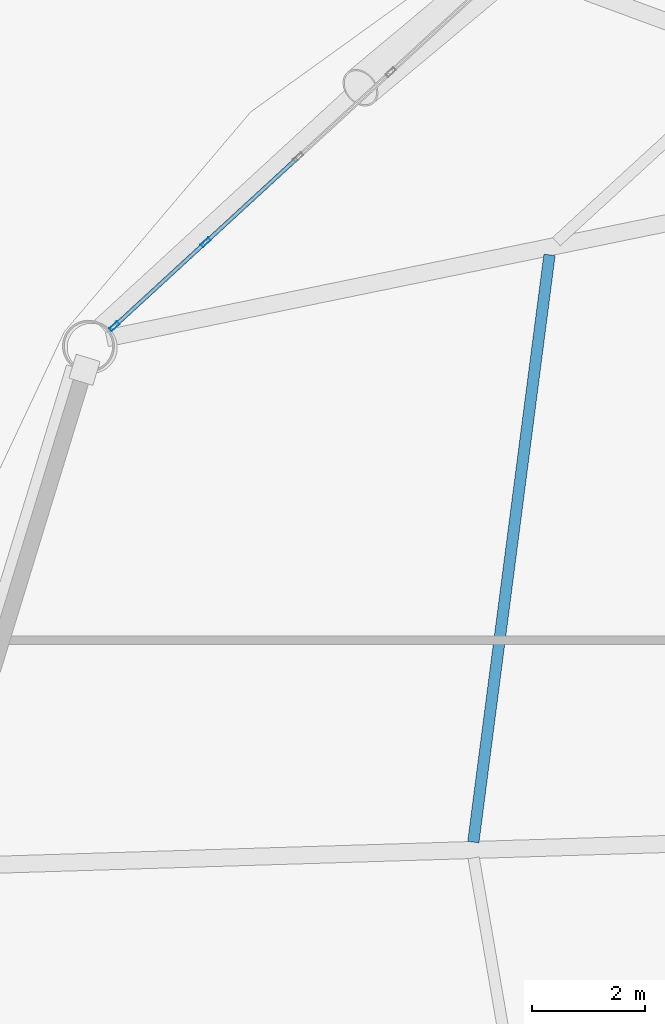
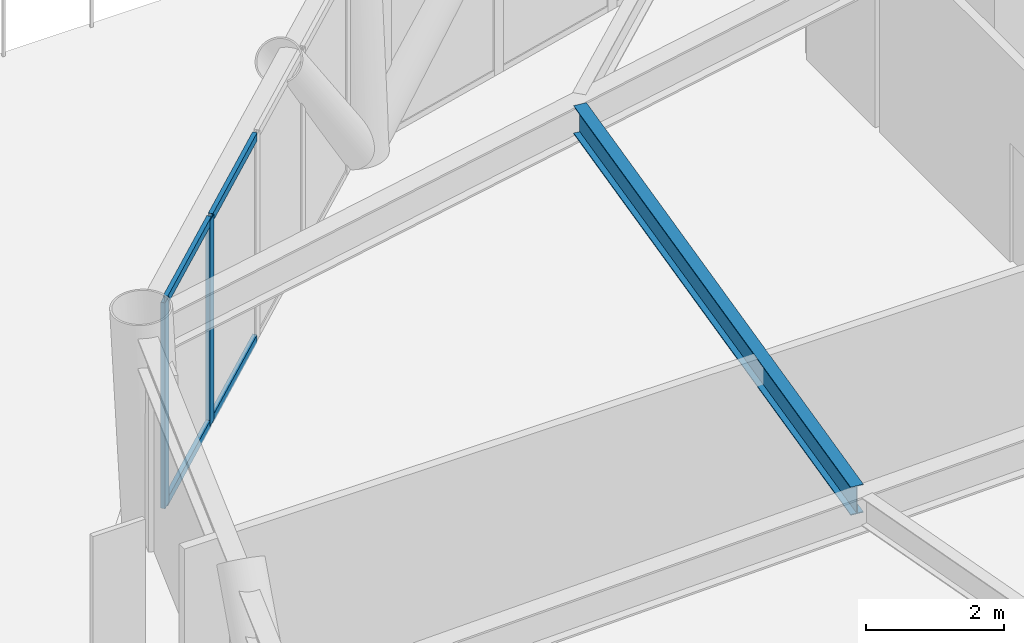
# One storey, part 9 of 24: 6 members, 1 beam, 1 element without a shape of its own.
"""IFC4 building model written with IfcOpenShell, lengths in metres."""

from ifc_helpers import new_model, si_unit, direction, frame, origin, origin_2d, place, context, subcontext, project, spatial, hollow_rectangle, i_section, extrude, material, layer, layer_set, material_profile, profile_set, type_object, element, aggregate, save


model = new_model("IFC4")

# Units and contexts
model_context = context("Model", 3, precision=1e-05, world=origin(), true_north=direction((0.0, 1.0)))
body_context = subcontext(model_context, "Body", "Model", "MODEL_VIEW")
ifc_project = project(units=[si_unit("LENGTHUNIT", "METRE"), si_unit("AREAUNIT", "SQUARE_METRE"), si_unit("VOLUMEUNIT", "CUBIC_METRE"), si_unit("PLANEANGLEUNIT", "RADIAN"), si_unit("MASSUNIT", "GRAM", prefix="KILO")], contexts=[model_context])

# Site, building, storey
site_placement = place(None, origin())
site = spatial("IfcSite", under=ifc_project, at=site_placement, CompositionType="ELEMENT")
building_placement = place(site_placement, origin())
building = spatial("IfcBuilding", under=site, at=building_placement, Name="Varnakorn Sky Granary", CompositionType="ELEMENT")
storey_placement = place(building_placement, frame((0.0, 0.0, 27.60009765625)))
storey = spatial("IfcBuildingStorey", under=building, at=storey_placement, Name="L06", CompositionType="ELEMENT", Elevation=27.60009765625)

# Beam
ifc_material_1 = material(Name="Steel S355JR", Category="steel")
ifc_material_profile_1 = material_profile(ifc_material_1, i_section(OverallWidth=0.199951171875, OverallDepth=0.5, WebThickness=0.01025390625, FlangeThickness=0.01611328125, at=origin_2d()), Name="IPE 500")
ifc_profile_set_1 = profile_set([ifc_material_profile_1], Name="Steel S355JR")
beam_type = type_object("IfcBeamType", Name="BM-SEC-Z1", PredefinedType="BEAM", material=ifc_profile_set_1)
beam_placement = place(storey_placement, frame((-10.672119140625, 10.78857421875, 3.389892578125), z_axis=(-0.128666081519, -0.991687974852, 0.0), x_axis=(0.991687974852, -0.128666081519, 0.0)))
element("IfcBeam", 1, at=beam_placement, inside=storey, type_object=beam_type, Name="Secondary Floor Chord Beam MSB06 L06", PredefinedType="BEAM", context=body_context, shape_type="SweptSolid", body=[
    extrude(i_section(OverallWidth=0.199951171875, OverallDepth=0.5, WebThickness=0.01025390625, FlangeThickness=0.01611328125, at=origin_2d()), origin(), (0.0, 0.0, 1.0), 10.43603515625),
])

# Curtain wall, members
ifc_material_2 = material(Name="Anodised Bronze Aluminium Alloy 6063-T6", Category="aluminium")
ifc_layer = layer(ifc_material_2, 0.18994140625, Name="Anodised Bronze Aluminium Alloy 6063-T6")
ifc_layer_set = layer_set([ifc_layer], Name="Anodised Bronze Aluminium Alloy 6063-T6")
curtain_wall_type = type_object("IfcCurtainWallType", Name="CW-FRM-1", PredefinedType="USERDEFINED", material=ifc_layer_set)
curtain_wall_placement = place(storey_placement, origin())
curtain_wall = element("IfcCurtainWall", 2, at=curtain_wall_placement, inside=storey, type_object=curtain_wall_type, Name="Unitised Curtain Wall CW3 CW-L06-B05", ObjectType="CURTAIN WALL", PredefinedType="USERDEFINED")
ifc_material_profile_2 = material_profile(ifc_material_2, hollow_rectangle(XDim=0.070068359375, YDim=0.18505859375, WallThickness=0.00390625, at=origin_2d()), Name="ALU MULL 70x185")
ifc_profile_set_2 = profile_set([ifc_material_profile_2], Name="Anodised Bronze Aluminium Alloy 6063-T6")
member_type_1 = type_object("IfcMemberType", Name="CW-FRM-1-MULL", PredefinedType="MULLION", material=ifc_profile_set_2)
member_1_placement = place(storey_placement, frame((-18.340576171875, 9.53125, 0.0), z_axis=(0.0, 0.0, 1.0), x_axis=(-0.676914362354, 0.7360617814, 0.0)))
member_1 = element("IfcMember", 3, at=member_1_placement, type_object=member_type_1, Name="CW3 mullion 1", PredefinedType="MULLION", context=body_context, shape_type="SweptSolid", body=[
    extrude(hollow_rectangle(XDim=0.070068359375, YDim=0.18505859375, WallThickness=0.00390625, at=origin_2d()), origin(), (0.0, 0.0, 1.0), 3.639892578125),
])
member_2_placement = place(storey_placement, frame((-16.734375, 11.008544921875, 0.0), z_axis=(0.0, 0.0, 1.0), x_axis=(-0.676914362354, 0.7360617814, 0.0)))
member_2 = element("IfcMember", 4, at=member_2_placement, type_object=member_type_1, Name="CW3 mullion 2", PredefinedType="MULLION", context=body_context, shape_type="SweptSolid", body=[
    extrude(hollow_rectangle(XDim=0.070068359375, YDim=0.18505859375, WallThickness=0.00390625, at=origin_2d()), origin(), (0.0, 0.0, 1.0), 3.639892578125),
])
ifc_material_profile_3 = material_profile(ifc_material_2, hollow_rectangle(XDim=0.070068359375, YDim=0.139892578125, WallThickness=0.00341796875, at=origin_2d()), Name="ALU TRAN 70x140")
ifc_profile_set_3 = profile_set([ifc_material_profile_3], Name="Anodised Bronze Aluminium Alloy 6063-T6")
member_type_2 = type_object("IfcMemberType", Name="CW-FRM-1-TRAN", PredefinedType="USERDEFINED", material=ifc_profile_set_3)
member_3_placement = place(storey_placement, frame((-18.31494140625, 9.554931640625, 0.034912109375), z_axis=(0.736073807105, 0.676901285635, 0.0), x_axis=(-0.676901285635, 0.736073807105, 0.0)))
member_3 = element("IfcMember", 5, at=member_3_placement, type_object=member_type_2, Name="CW3 transom 1.1", ObjectType="TRANSOM", PredefinedType="USERDEFINED", context=body_context, shape_type="SweptSolid", body=[
    extrude(hollow_rectangle(XDim=0.070068359375, YDim=0.139892578125, WallThickness=0.00341796875, at=origin_2d()), origin(), (0.0, 0.0, 1.0), 2.112548828125),
])
member_4_placement = place(storey_placement, frame((-18.31494140625, 9.554931640625, 3.60498046875), z_axis=(0.736073807105, 0.676901285635, 0.0), x_axis=(-0.676901285635, 0.736073807105, 0.0)))
member_4 = element("IfcMember", 6, at=member_4_placement, type_object=member_type_2, Name="CW3 transom 1.2", ObjectType="TRANSOM", PredefinedType="USERDEFINED", context=body_context, shape_type="SweptSolid", body=[
    extrude(hollow_rectangle(XDim=0.070068359375, YDim=0.139892578125, WallThickness=0.00341796875, at=origin_2d()), origin(), (0.0, 0.0, 1.0), 2.112548828125),
])
member_5_placement = place(storey_placement, frame((-16.70849609375, 11.0322265625, 0.034912109375), z_axis=(0.736105481164, 0.676866841114, 0.0), x_axis=(-0.676866841114, 0.736105481164, 0.0)))
member_5 = element("IfcMember", 7, at=member_5_placement, type_object=member_type_2, Name="CW3 transom 2.1", ObjectType="TRANSOM", PredefinedType="USERDEFINED", context=body_context, shape_type="SweptSolid", body=[
    extrude(hollow_rectangle(XDim=0.070068359375, YDim=0.139892578125, WallThickness=0.00341796875, at=origin_2d()), origin(), (0.0, 0.0, 1.0), 2.147216796875),
])
member_6_placement = place(storey_placement, frame((-16.70849609375, 11.0322265625, 3.60498046875), z_axis=(0.736105481164, 0.676866841114, 0.0), x_axis=(-0.676866841114, 0.736105481164, 0.0)))
member_6 = element("IfcMember", 8, at=member_6_placement, type_object=member_type_2, Name="CW3 transom 2.2", ObjectType="TRANSOM", PredefinedType="USERDEFINED", context=body_context, shape_type="SweptSolid", body=[
    extrude(hollow_rectangle(XDim=0.070068359375, YDim=0.139892578125, WallThickness=0.00341796875, at=origin_2d()), origin(), (0.0, 0.0, 1.0), 2.147216796875),
])
aggregate(curtain_wall, [member_1, member_2, member_3, member_4, member_5, member_6])

save(model, "model.ifc")
